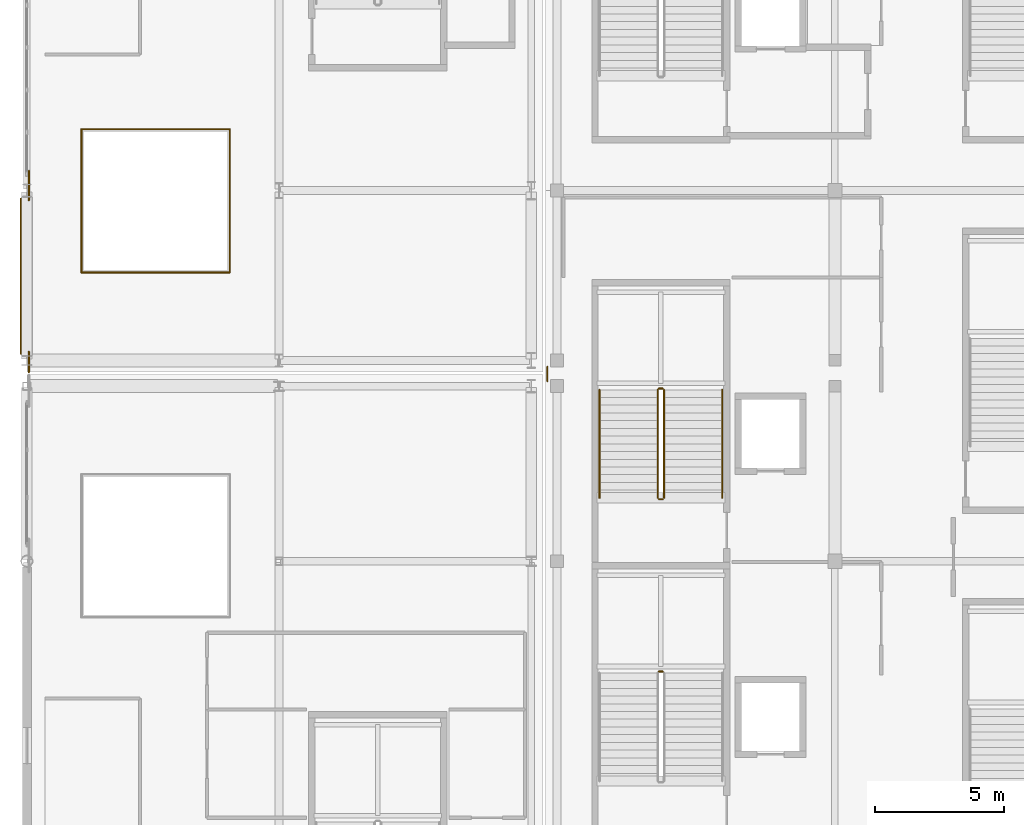
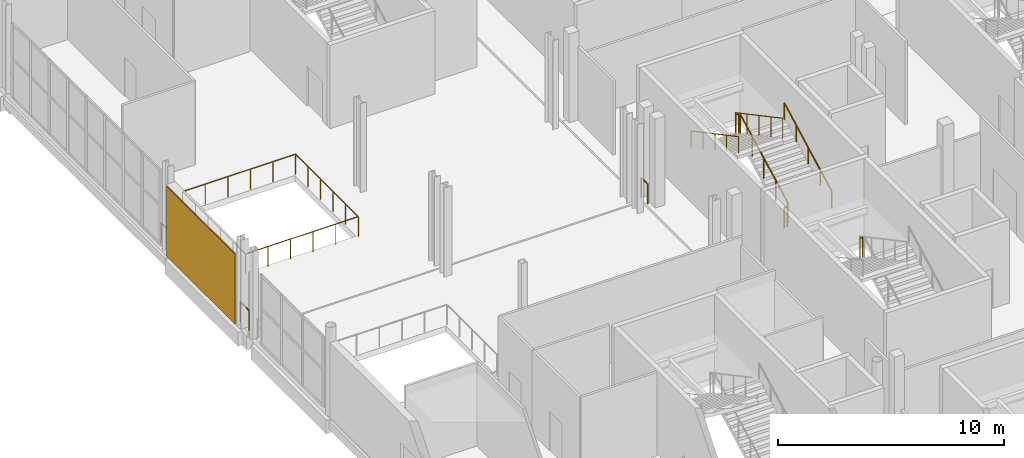
# One storey, part 103 of 129: 14 railings, 1 covering.
"""IFC4 building model written with IfcOpenShell, lengths in metres."""

from ifc_helpers import new_model, si_unit, direction, frame, origin, origin_2d, place, context, subcontext, project, spatial, rectangle, circle, extrude, material, layer, layer_set, type_object, element, save


model = new_model("IFC4")

# Units and contexts
model_context = context("Model", 3, precision=1e-05, world=origin(), true_north=direction((0.0, 1.0)))
body_context = subcontext(model_context, "Body", "Model", "MODEL_VIEW")
ifc_project = project(units=[si_unit("LENGTHUNIT", "METRE"), si_unit("AREAUNIT", "SQUARE_METRE"), si_unit("VOLUMEUNIT", "CUBIC_METRE"), si_unit("PLANEANGLEUNIT", "RADIAN"), si_unit("MASSUNIT", "GRAM", prefix="KILO")], contexts=[model_context])

# Site, building, storey
site_placement = place(None, origin())
site = spatial("IfcSite", under=ifc_project, at=site_placement, CompositionType="ELEMENT")
building_placement = place(site_placement, origin())
building = spatial("IfcBuilding", under=site, at=building_placement, Name="Koshinbarg Plaza Stadium", CompositionType="ELEMENT")
storey_placement = place(building_placement, frame((0.0, 0.0, 5.39990234375)))
storey = spatial("IfcBuildingStorey", under=building, at=storey_placement, Name="L01", CompositionType="ELEMENT", Elevation=5.39990234375)

# Covering
ifc_material_1 = material(Name="Terracotta-ochre pigmented mineral render facade cladding", Category="masonry")
ifc_layer = layer(ifc_material_1, 0.0400390625)
ifc_layer_set = layer_set([ifc_layer], Name="Terracotta-ochre pigmented mineral render facade cladding")
covering_type = type_object("IfcCoveringType", Name="COV-CLADDING-01", PredefinedType="CLADDING", material=ifc_layer_set)
covering_placement = place(storey_placement, frame((3.7548828125, 79.77001953125, 0.05029296875), z_axis=(0.0, 0.0, 1.0), x_axis=(0.0, 1.0, 0.0)))
element("IfcCovering", 1, at=covering_placement, inside=storey, type_object=covering_type, Name="L01 pigmented mineral facade cladding EWL-L01-0076", PredefinedType="CLADDING", context=body_context, shape_type="SweptSolid", body=[
    extrude(rectangle(XDim=6.070068359375, YDim=0.0400390625, at=origin_2d()), origin(), (0.0, 0.0, 1.0), 3.780029296875),
])

# Railings
ifc_material_2 = material(Name="Toughened laminated glass and stainless steel sightline balustrade", Category="steel")
railing_type_1 = type_object("IfcRailingType", Name="RL-BOWL-1100", PredefinedType="BALUSTRADE", material=ifc_material_2)
railing_1_placement = place(storey_placement, frame((6.1201171875, 79.919921875, 0.0)))
element("IfcRailing", 2, at=railing_1_placement, inside=storey, type_object=railing_type_1, Name="L01 atrium light-well balustrade 0047", PredefinedType="BALUSTRADE", context=body_context, shape_type="SweptSolid", body=[
    extrude(circle(Radius=0.02392578125, at=origin_2d()), frame((0.0, 0.0, 1.076171875), z_axis=(1.0, 0.0, 0.0), x_axis=(0.0, 1.0, 0.0)), (0.0, 0.0, 1.0), 5.759765625),
    extrude(circle(Radius=0.02099609375, at=origin_2d()), origin(), (0.0, 0.0, 1.0), 1.052001953125),
    extrude(circle(Radius=0.02099609375, at=origin_2d()), frame((1.15185546875, 0.0, 0.0)), (0.0, 0.0, 1.0), 1.052001953125),
    extrude(circle(Radius=0.02099609375, at=origin_2d()), frame((2.303955078125, 0.0, 0.0)), (0.0, 0.0, 1.0), 1.052001953125),
    extrude(circle(Radius=0.02099609375, at=origin_2d()), frame((3.455810546875, 0.0, 0.0)), (0.0, 0.0, 1.0), 1.052001953125),
    extrude(circle(Radius=0.02099609375, at=origin_2d()), frame((4.60791015625, 0.0, 0.0)), (0.0, 0.0, 1.0), 1.052001953125),
    extrude(circle(Radius=0.02099609375, at=origin_2d()), frame((5.759765625, 0.0, 0.0)), (0.0, 0.0, 1.0), 1.052001953125),
])
railing_2_placement = place(storey_placement, frame((11.8798828125, 79.919921875, 0.0)))
element("IfcRailing", 3, at=railing_2_placement, inside=storey, type_object=railing_type_1, Name="L01 atrium light-well balustrade 0048", PredefinedType="BALUSTRADE", context=body_context, shape_type="SweptSolid", body=[
    extrude(circle(Radius=0.02392578125, at=origin_2d()), frame((0.0, 0.0, 1.076171875), z_axis=(0.0, 1.0, 0.0), x_axis=(-1.0, 0.0, 0.0)), (0.0, 0.0, 1.0), 5.56005859375),
    extrude(circle(Radius=0.02099609375, at=origin_2d()), origin(), (0.0, 0.0, 1.0), 1.052001953125),
    extrude(circle(Radius=0.02099609375, at=origin_2d()), frame((0.0, 1.112060546875, 0.0)), (0.0, 0.0, 1.0), 1.052001953125),
    extrude(circle(Radius=0.02099609375, at=origin_2d()), frame((0.0, 2.22412109375, 0.0)), (0.0, 0.0, 1.0), 1.052001953125),
    extrude(circle(Radius=0.02099609375, at=origin_2d()), frame((0.0, 3.3359375, 0.0)), (0.0, 0.0, 1.0), 1.052001953125),
    extrude(circle(Radius=0.02099609375, at=origin_2d()), frame((0.0, 4.447998046875, 0.0)), (0.0, 0.0, 1.0), 1.052001953125),
    extrude(circle(Radius=0.02099609375, at=origin_2d()), frame((0.0, 5.56005859375, 0.0)), (0.0, 0.0, 1.0), 1.052001953125),
])
railing_3_placement = place(storey_placement, frame((11.8798828125, 85.47998046875, 0.0)))
element("IfcRailing", 4, at=railing_3_placement, inside=storey, type_object=railing_type_1, Name="L01 atrium light-well balustrade 0049", PredefinedType="BALUSTRADE", context=body_context, shape_type="SweptSolid", body=[
    extrude(circle(Radius=0.02392578125, at=origin_2d()), frame((0.0, 0.0, 1.076171875), z_axis=(-1.0, 0.0, 0.0), x_axis=(0.0, -1.0, 0.0)), (0.0, 0.0, 1.0), 5.759765625),
    extrude(circle(Radius=0.02099609375, at=origin_2d()), origin(), (0.0, 0.0, 1.0), 1.052001953125),
    extrude(circle(Radius=0.02099609375, at=origin_2d()), frame((-1.15185546875, 0.0, 0.0)), (0.0, 0.0, 1.0), 1.052001953125),
    extrude(circle(Radius=0.02099609375, at=origin_2d()), frame((-2.303955078125, 0.0, 0.0)), (0.0, 0.0, 1.0), 1.052001953125),
    extrude(circle(Radius=0.02099609375, at=origin_2d()), frame((-3.455810546875, 0.0, 0.0)), (0.0, 0.0, 1.0), 1.052001953125),
    extrude(circle(Radius=0.02099609375, at=origin_2d()), frame((-4.60791015625, 0.0, 0.0)), (0.0, 0.0, 1.0), 1.052001953125),
    extrude(circle(Radius=0.02099609375, at=origin_2d()), frame((-5.759765625, 0.0, 0.0)), (0.0, 0.0, 1.0), 1.052001953125),
])
railing_4_placement = place(storey_placement, frame((6.1201171875, 85.47998046875, 0.0)))
element("IfcRailing", 5, at=railing_4_placement, inside=storey, type_object=railing_type_1, Name="L01 atrium light-well balustrade 0050", PredefinedType="BALUSTRADE", context=body_context, shape_type="SweptSolid", body=[
    extrude(circle(Radius=0.02392578125, at=origin_2d()), frame((0.0, 0.0, 1.076171875), z_axis=(0.0, -1.0, 0.0), x_axis=(1.0, 0.0, 0.0)), (0.0, 0.0, 1.0), 5.56005859375),
    extrude(circle(Radius=0.02099609375, at=origin_2d()), origin(), (0.0, 0.0, 1.0), 1.052001953125),
    extrude(circle(Radius=0.02099609375, at=origin_2d()), frame((0.0, -1.112060546875, 0.0)), (0.0, 0.0, 1.0), 1.052001953125),
    extrude(circle(Radius=0.02099609375, at=origin_2d()), frame((0.0, -2.22412109375, 0.0)), (0.0, 0.0, 1.0), 1.052001953125),
    extrude(circle(Radius=0.02099609375, at=origin_2d()), frame((0.0, -3.3359375, 0.0)), (0.0, 0.0, 1.0), 1.052001953125),
    extrude(circle(Radius=0.02099609375, at=origin_2d()), frame((0.0, -4.447998046875, 0.0)), (0.0, 0.0, 1.0), 1.052001953125),
    extrude(circle(Radius=0.02099609375, at=origin_2d()), frame((0.0, -5.56005859375, 0.0)), (0.0, 0.0, 1.0), 1.052001953125),
])
railing_5_placement = place(storey_placement, frame((24.22509765625, 75.699951171875, 0.0)))
element("IfcRailing", 6, at=railing_5_placement, inside=storey, type_object=railing_type_1, Name="L01 deck edge safety balustrade 0003", PredefinedType="BALUSTRADE", context=body_context, shape_type="SweptSolid", body=[
    extrude(circle(Radius=0.02392578125, at=origin_2d()), frame((0.0, 0.0, 1.076171875), z_axis=(0.0, 1.0, 0.0), x_axis=(-1.0, 0.0, 0.0)), (0.0, 0.0, 1.0), 0.550048828125),
    extrude(circle(Radius=0.02099609375, at=origin_2d()), origin(), (0.0, 0.0, 1.0), 1.052001953125),
    extrude(circle(Radius=0.02099609375, at=origin_2d()), frame((0.0, 0.550048828125, 0.0)), (0.0, 0.0, 1.0), 1.052001953125),
])
railing_6_placement = place(storey_placement, frame((4.080078125, 76.044921875, 0.0)))
element("IfcRailing", 7, at=railing_6_placement, inside=storey, type_object=railing_type_1, Name="L01 deck edge safety balustrade 0089", PredefinedType="BALUSTRADE", context=body_context, shape_type="SweptSolid", body=[
    extrude(circle(Radius=0.02392578125, at=origin_2d()), frame((0.0, 0.0, 1.076171875), z_axis=(0.0, 1.0, 0.0), x_axis=(-1.0, 0.0, 0.0)), (0.0, 0.0, 1.0), 0.797607421875),
    extrude(circle(Radius=0.02099609375, at=origin_2d()), origin(), (0.0, 0.0, 1.0), 1.052001953125),
    extrude(circle(Radius=0.02099609375, at=origin_2d()), frame((0.0, 0.797607421875, 0.0)), (0.0, 0.0, 1.0), 1.052001953125),
])
railing_7_placement = place(storey_placement, frame((4.080078125, 82.71728515625, 0.0)))
element("IfcRailing", 8, at=railing_7_placement, inside=storey, type_object=railing_type_1, Name="L01 deck edge safety balustrade 0090", PredefinedType="BALUSTRADE", context=body_context, shape_type="SweptSolid", body=[
    extrude(circle(Radius=0.02392578125, at=origin_2d()), frame((0.0, 0.0, 1.076171875), z_axis=(0.0, 1.0, 0.0), x_axis=(-1.0, 0.0, 0.0)), (0.0, 0.0, 1.0), 1.14697265625),
    extrude(circle(Radius=0.02099609375, at=origin_2d()), origin(), (0.0, 0.0, 1.0), 1.052001953125),
    extrude(circle(Radius=0.02099609375, at=origin_2d()), frame((0.0, 1.14697265625, 0.0)), (0.0, 0.0, 1.0), 1.052001953125),
])
ifc_material_3 = material(Name="Galvanized painted steel guardrail", Category="steel")
railing_type_2 = type_object("IfcRailingType", Name="RL-GUARD-1100", PredefinedType="GUARDRAIL", material=ifc_material_3)
railing_8_placement = place(storey_placement, frame((28.7099609375, 64.409912109375, 2.400146484375)))
element("IfcRailing", 9, at=railing_8_placement, inside=storey, type_object=railing_type_2, Name="L01 C03 stair guard 2", PredefinedType="GUARDRAIL", context=body_context, shape_type="SweptSolid", body=[
    extrude(circle(Radius=0.02392578125, at=origin_2d()), frame((0.0, 0.0, 1.076171875), z_axis=(-1.0, 0.0, 0.0), x_axis=(0.0, -1.0, 0.0)), (0.0, 0.0, 1.0), 0.14990234375),
    extrude(circle(Radius=0.02099609375, at=origin_2d()), origin(), (0.0, 0.0, 1.0), 1.052001953125),
    extrude(circle(Radius=0.02099609375, at=origin_2d()), frame((-0.14990234375, 0.0, 0.0)), (0.0, 0.0, 1.0), 1.052001953125),
])
railing_9_placement = place(storey_placement, frame((28.760009765625, 71.159912109375, 0.16015625)))
element("IfcRailing", 10, at=railing_9_placement, inside=storey, type_object=railing_type_2, Name="L01 C04 stair guard 1", PredefinedType="GUARDRAIL", context=body_context, shape_type="SweptSolid", body=[
    extrude(circle(Radius=0.02392578125, at=origin_2d()), frame((0.0, 0.0, 1.076171875), z_axis=(0.0, 0.882362879185, 0.470569601054), x_axis=(-1.0, 0.0, 0.0)), (0.0, 0.0, 1.0), 4.76025390625),
    extrude(circle(Radius=0.02099609375, at=origin_2d()), origin(), (0.0, 0.0, 1.0), 1.052001953125),
    extrude(circle(Radius=0.02099609375, at=origin_2d()), frame((0.0, 1.050048828125, 0.56005859375)), (0.0, 0.0, 1.0), 1.052001953125),
    extrude(circle(Radius=0.02099609375, at=origin_2d()), frame((0.0, 2.10009765625, 1.1201171875)), (0.0, 0.0, 1.0), 1.052001953125),
    extrude(circle(Radius=0.02099609375, at=origin_2d()), frame((0.0, 3.150146484375, 1.679931640625)), (0.0, 0.0, 1.0), 1.052001953125),
    extrude(circle(Radius=0.02099609375, at=origin_2d()), frame((0.0, 4.2001953125, 2.239990234375)), (0.0, 0.0, 1.0), 1.052001953125),
])
railing_10_placement = place(storey_placement, frame((28.7099609375, 75.409912109375, 2.400146484375)))
element("IfcRailing", 11, at=railing_10_placement, inside=storey, type_object=railing_type_2, Name="L01 C04 stair guard 2", PredefinedType="GUARDRAIL", context=body_context, shape_type="SweptSolid", body=[
    extrude(circle(Radius=0.02392578125, at=origin_2d()), frame((0.0, 0.0, 1.076171875), z_axis=(-1.0, 0.0, 0.0), x_axis=(0.0, -1.0, 0.0)), (0.0, 0.0, 1.0), 0.14990234375),
    extrude(circle(Radius=0.02099609375, at=origin_2d()), origin(), (0.0, 0.0, 1.0), 1.052001953125),
    extrude(circle(Radius=0.02099609375, at=origin_2d()), frame((-0.14990234375, 0.0, 0.0)), (0.0, 0.0, 1.0), 1.052001953125),
])
railing_11_placement = place(storey_placement, frame((28.510009765625, 75.360107421875, 2.56005859375)))
element("IfcRailing", 12, at=railing_11_placement, inside=storey, type_object=railing_type_2, Name="L01 C04 stair guard 3", PredefinedType="GUARDRAIL", context=body_context, shape_type="SweptSolid", body=[
    extrude(circle(Radius=0.02392578125, at=origin_2d()), frame((0.0, 0.0, 1.076171875), z_axis=(0.0, -0.882362879185, 0.470569601054), x_axis=(1.0, 0.0, 0.0)), (0.0, 0.0, 1.0), 4.76025390625),
    extrude(circle(Radius=0.02099609375, at=origin_2d()), origin(), (0.0, 0.0, 1.0), 1.052001953125),
    extrude(circle(Radius=0.02099609375, at=origin_2d()), frame((0.0, -1.050048828125, 0.56005859375)), (0.0, 0.0, 1.0), 1.052001953125),
    extrude(circle(Radius=0.02099609375, at=origin_2d()), frame((0.0, -2.10009765625, 1.1201171875)), (0.0, 0.0, 1.0), 1.052001953125),
    extrude(circle(Radius=0.02099609375, at=origin_2d()), frame((0.0, -3.150146484375, 1.679931640625)), (0.0, 0.0, 1.0), 1.052001953125),
    extrude(circle(Radius=0.02099609375, at=origin_2d()), frame((0.0, -4.2001953125, 2.239990234375)), (0.0, 0.0, 1.0), 1.052001953125),
])
railing_12_placement = place(storey_placement, frame((28.7099609375, 71.110107421875, 0.0)))
element("IfcRailing", 13, at=railing_12_placement, inside=storey, type_object=railing_type_2, Name="L01 C04 stair guard 4", PredefinedType="GUARDRAIL", context=body_context, shape_type="SweptSolid", body=[
    extrude(circle(Radius=0.02392578125, at=origin_2d()), frame((0.0, 0.0, 1.076171875), z_axis=(-1.0, 0.0, 0.0), x_axis=(0.0, -1.0, 0.0)), (0.0, 0.0, 1.0), 0.14990234375),
    extrude(circle(Radius=0.02099609375, at=origin_2d()), origin(), (0.0, 0.0, 1.0), 1.052001953125),
    extrude(circle(Radius=0.02099609375, at=origin_2d()), frame((-0.14990234375, 0.0, 0.0)), (0.0, 0.0, 1.0), 1.052001953125),
])
ifc_material_4 = material(Name="Brushed stainless steel handrail", Category="steel")
railing_type_3 = type_object("IfcRailingType", Name="RL-HAND-900", PredefinedType="HANDRAIL", material=ifc_material_4)
railing_13_placement = place(storey_placement, frame((31.02001953125, 71.159912109375, 0.16015625)))
element("IfcRailing", 14, at=railing_13_placement, inside=storey, type_object=railing_type_3, Name="L01 C04 stair handrail 1", PredefinedType="HANDRAIL", context=body_context, shape_type="SweptSolid", body=[
    extrude(circle(Radius=0.02392578125, at=origin_2d()), frame((0.0, 0.0, 0.8759765625), z_axis=(0.0, 0.882362879185, 0.470569601054), x_axis=(-1.0, 0.0, 0.0)), (0.0, 0.0, 1.0), 4.76025390625),
    extrude(circle(Radius=0.02099609375, at=origin_2d()), origin(), (0.0, 0.0, 1.0), 0.851806640625),
    extrude(circle(Radius=0.02099609375, at=origin_2d()), frame((0.0, 1.050048828125, 0.56005859375)), (0.0, 0.0, 1.0), 0.851806640625),
    extrude(circle(Radius=0.02099609375, at=origin_2d()), frame((0.0, 2.10009765625, 1.1201171875)), (0.0, 0.0, 1.0), 0.851806640625),
    extrude(circle(Radius=0.02099609375, at=origin_2d()), frame((0.0, 3.150146484375, 1.679931640625)), (0.0, 0.0, 1.0), 0.851806640625),
    extrude(circle(Radius=0.02099609375, at=origin_2d()), frame((0.0, 4.2001953125, 2.239990234375)), (0.0, 0.0, 1.0), 0.851806640625),
])
railing_14_placement = place(storey_placement, frame((26.25, 75.360107421875, 2.56005859375)))
element("IfcRailing", 15, at=railing_14_placement, inside=storey, type_object=railing_type_3, Name="L01 C04 stair handrail 2", PredefinedType="HANDRAIL", context=body_context, shape_type="SweptSolid", body=[
    extrude(circle(Radius=0.02392578125, at=origin_2d()), frame((0.0, 0.0, 0.8759765625), z_axis=(0.0, -0.882362879185, 0.470569601054), x_axis=(1.0, 0.0, 0.0)), (0.0, 0.0, 1.0), 4.76025390625),
    extrude(circle(Radius=0.02099609375, at=origin_2d()), origin(), (0.0, 0.0, 1.0), 0.851806640625),
    extrude(circle(Radius=0.02099609375, at=origin_2d()), frame((0.0, -1.050048828125, 0.56005859375)), (0.0, 0.0, 1.0), 0.851806640625),
    extrude(circle(Radius=0.02099609375, at=origin_2d()), frame((0.0, -2.10009765625, 1.1201171875)), (0.0, 0.0, 1.0), 0.851806640625),
    extrude(circle(Radius=0.02099609375, at=origin_2d()), frame((0.0, -3.150146484375, 1.679931640625)), (0.0, 0.0, 1.0), 0.851806640625),
    extrude(circle(Radius=0.02099609375, at=origin_2d()), frame((0.0, -4.2001953125, 2.239990234375)), (0.0, 0.0, 1.0), 0.851806640625),
])

save(model, "model.ifc")
